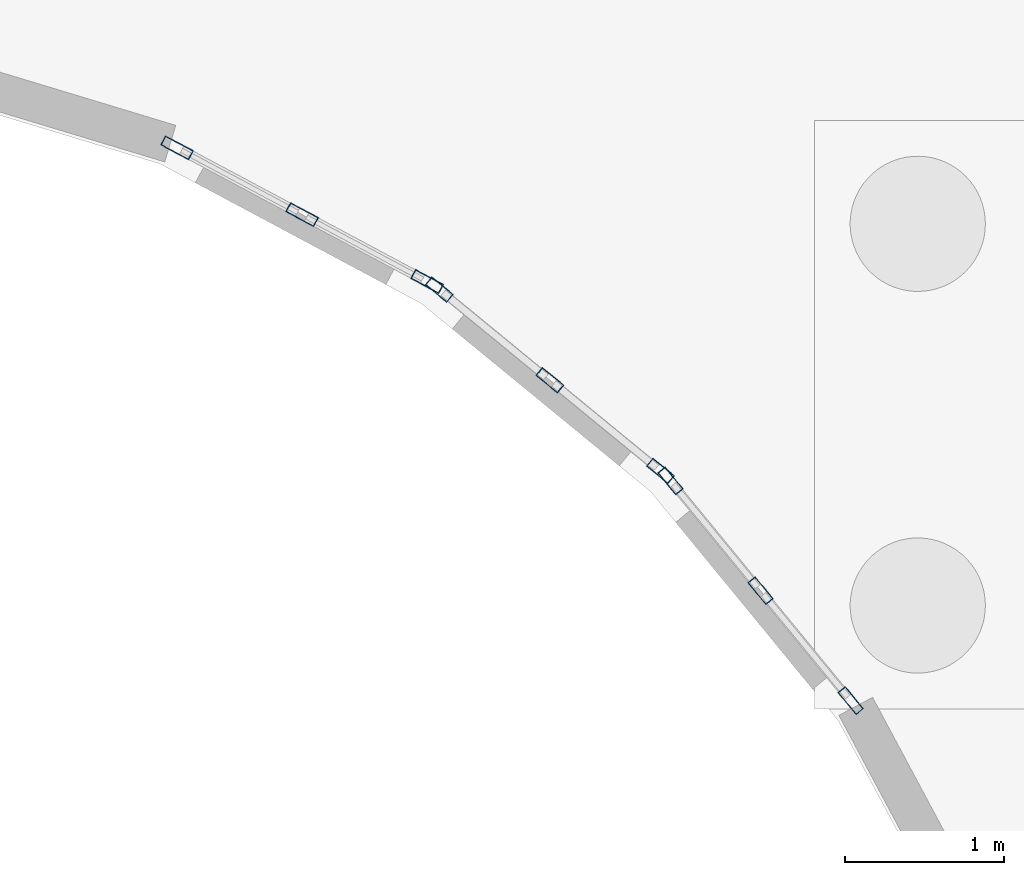
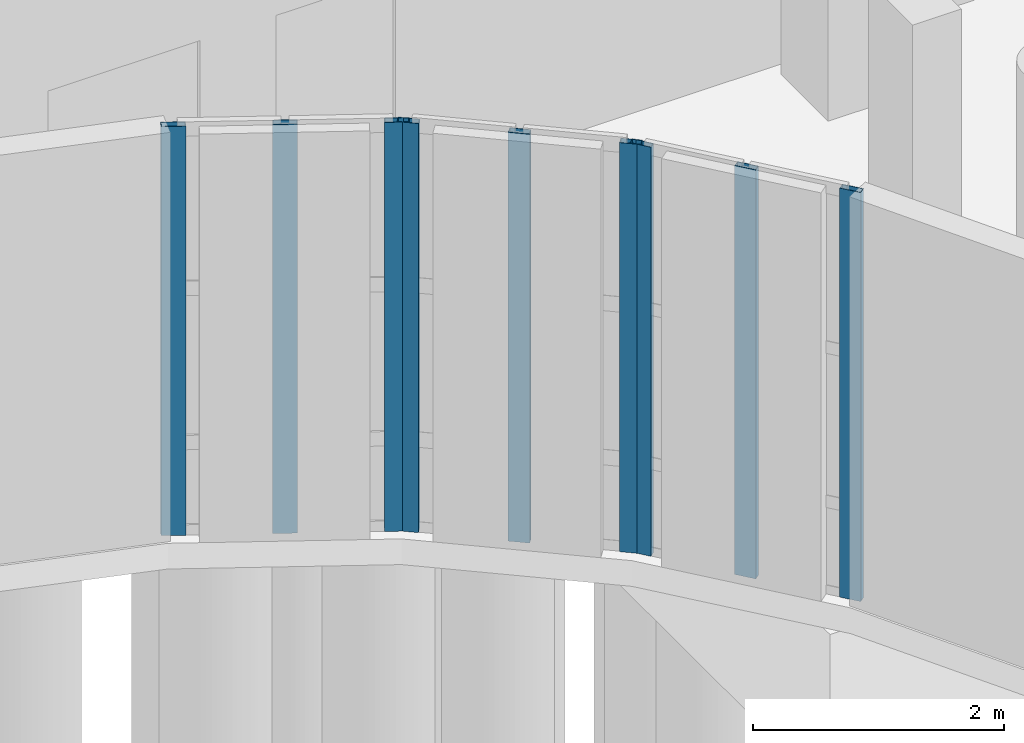
# One storey, part 38 of 93: 9 members, 3 elements without a shape of their own.
"""IFC4 building model written with IfcOpenShell, lengths in metres."""

import ifcopenshell
import ifcopenshell.guid

model = None  # the IFC model being written
_history = None  # IfcOwnerHistory: only IFC2X3 demands one
_inside = {}  # id of a spatial element -> (the spatial element, [elements in it])
_under = {}  # id of a project, library or spatial element -> (it, [spatial elements below it])
_declared = {}  # id of a project -> (the project, [libraries it declares])
_typed = {}  # id of a type object -> (the type object, [elements of that type])
_made_of = {}  # id of a material, layer set ... -> (it, [elements and type objects made of it])


def new_model(schema):
    """Start an empty IFC model of exactly this schema.

    Asked for "IFC4X3", IfcOpenShell would pick the latest addendum, in which some entities
    have other attributes; the version numbers below select the first issue.
    IFC2X3 requires an IfcOwnerHistory on every rooted entity: one is made here for all.
    """
    global model, _history
    if schema == "IFC4X3":
        model = ifcopenshell.file(schema_version=(4, 3, 0, 0))
    else:
        model = ifcopenshell.file(schema=schema)
    _inside.clear()
    _under.clear()
    _declared.clear()
    _typed.clear()
    _made_of.clear()
    _history = None
    if model.schema == "IFC2X3":
        org = make("IfcOrganization", Name="unknown")
        user = make(
            "IfcPersonAndOrganization",
            ThePerson=make("IfcPerson", FamilyName="unknown"),
            TheOrganization=org,
        )
        app = make(
            "IfcApplication",
            ApplicationDeveloper=org,
            Version="unknown",
            ApplicationFullName="unknown",
            ApplicationIdentifier="unknown",
        )
        _history = make(
            "IfcOwnerHistory",
            OwningUser=user,
            OwningApplication=app,
            ChangeAction="ADDED",
            CreationDate=0,
        )
    return model


def make(cls, **values):
    """One entity of the class cls with the attributes given. An attribute that is None is left unset."""
    return model.create_entity(
        cls, **{name: value for name, value in values.items() if value is not None}
    )


def rooted(cls, **values):
    """An entity with a GlobalId (a new one), such as an element, a storey or a relation."""
    return make(cls, GlobalId=ifcopenshell.guid.new(), OwnerHistory=_history, **values)


def si_unit(unit_type, name, prefix=None):
    """IfcSIUnit, for example si_unit("LENGTHUNIT", "METRE", prefix="MILLI")."""
    return make("IfcSIUnit", UnitType=unit_type, Prefix=prefix, Name=name)


def assignment(units):
    """IfcUnitAssignment: the units of a project."""
    return None if units is None else make("IfcUnitAssignment", Units=units)


def point(xyz):
    """IfcCartesianPoint."""
    return None if xyz is None else make("IfcCartesianPoint", Coordinates=xyz)


def direction(xyz):
    """IfcDirection."""
    return None if xyz is None else make("IfcDirection", DirectionRatios=xyz)


def frame(location, z_axis=None, x_axis=None):
    """IfcAxis2Placement3D, a coordinate frame: its origin and axes. An axis left out is left unset."""
    return make(
        "IfcAxis2Placement3D",
        Location=point(location),
        Axis=direction(z_axis),
        RefDirection=direction(x_axis),
    )


def frame_2d(location, x_axis=None):
    """IfcAxis2Placement2D, a coordinate frame in the plane: its origin and x axis."""
    return make(
        "IfcAxis2Placement2D", Location=point(location), RefDirection=direction(x_axis)
    )


def origin():
    """The frame at (0, 0, 0) with its axes left unset."""
    return frame((0.0, 0.0, 0.0))


def origin_2d():
    """The frame at (0, 0) in the plane with its x axis left unset."""
    return frame_2d((0.0, 0.0))


def place(relative_to, where):
    """IfcLocalPlacement: puts the frame where relative to a parent placement (None: the world)."""
    return make(
        "IfcLocalPlacement", PlacementRelTo=relative_to, RelativePlacement=where
    )


def context(
    kind, dimensions, precision=None, world=None, true_north=None, identifier=None
):
    """IfcGeometricRepresentationContext, for example the 3D "Model" context."""
    return make(
        "IfcGeometricRepresentationContext",
        ContextIdentifier=identifier,
        ContextType=kind,
        CoordinateSpaceDimension=dimensions,
        Precision=precision,
        WorldCoordinateSystem=world,
        TrueNorth=true_north,
    )


def subcontext(parent, identifier, kind, view, scale=None):
    """IfcGeometricRepresentationSubContext, for example "Body" below "Model"."""
    return make(
        "IfcGeometricRepresentationSubContext",
        ContextIdentifier=identifier,
        ContextType=kind,
        ParentContext=parent,
        TargetScale=scale,
        TargetView=view,
    )


def project(units=None, contexts=None):
    """IfcProject with its units and contexts."""
    return rooted(
        "IfcProject",
        Name="project",
        RepresentationContexts=contexts,
        UnitsInContext=assignment(units),
    )


def spatial(cls, under=None, at=None, **own):
    """A site, building, storey or space (cls), placed at a placement, below another one or the project."""
    s = rooted(cls, ObjectPlacement=at, **own)
    if under is not None:
        _under.setdefault(under.id(), (under, []))[1].append(s)
    return s


def profile(cls, at=None, kind="AREA", **sizes):
    """A parametric profile (cls). Its sizes go by their IFC names, for example OverallWidth=200.0."""
    return make(cls, ProfileType=kind, Position=at, **sizes)


def hollow_rectangle(**sizes):
    """IfcRectangleHollowProfileDef."""
    return profile("IfcRectangleHollowProfileDef", **sizes)


def extrude(swept, where, along, depth):
    """IfcExtrudedAreaSolid: the profile swept, set in the frame where, extruded along a direction by depth."""
    return make(
        "IfcExtrudedAreaSolid",
        SweptArea=swept,
        Position=where,
        ExtrudedDirection=direction(along),
        Depth=depth,
    )


def shape(context_of_items, identifier, shape_type, items):
    """IfcShapeRepresentation: the items that make up one representation, for example the "Body"."""
    return make(
        "IfcShapeRepresentation",
        ContextOfItems=context_of_items,
        RepresentationIdentifier=identifier,
        RepresentationType=shape_type,
        Items=items,
    )


def material(Name=None, Category=None):
    """IfcMaterial."""
    return make("IfcMaterial", Name=Name, Category=Category)


def layer(
    of_material, thickness, ventilated=None, Name=None, Category=None, Priority=None
):
    """IfcMaterialLayer: one layer of a wall or slab, of a material (None: an air gap)."""
    return make(
        "IfcMaterialLayer",
        Material=of_material,
        LayerThickness=thickness,
        IsVentilated=ventilated,
        Name=Name,
        Category=Category,
        Priority=Priority,
    )


def layer_set(layers, Name=None):
    """IfcMaterialLayerSet."""
    return make("IfcMaterialLayerSet", MaterialLayers=layers, LayerSetName=Name)


def material_profile(
    of_material, cross_section, Name=None, Category=None, Priority=None
):
    """IfcMaterialProfile: a cross section and its material."""
    return make(
        "IfcMaterialProfile",
        Name=Name,
        Material=of_material,
        Profile=cross_section,
        Priority=Priority,
        Category=Category,
    )


def profile_set(profiles, Name=None, composite=None):
    """IfcMaterialProfileSet."""
    return make(
        "IfcMaterialProfileSet",
        Name=Name,
        MaterialProfiles=profiles,
        CompositeProfile=composite,
    )


def made_of(thing, what):
    """Note that an element or type object is made of a material, layer set ...; save() writes the relation."""
    if what is not None:
        _made_of.setdefault(what.id(), (what, []))[1].append(thing)
    return thing


def type_object(cls, material=None, **own):
    """A type object (cls), such as IfcWallType, which elements share."""
    return made_of(rooted(cls, **own), material)


def element(
    cls,
    number,
    at=None,
    inside=None,
    cuts=None,
    type_object=None,
    material=None,
    context=None,
    identifier="Body",
    shape_type=None,
    held_by="IfcProductDefinitionShape",
    body=None,
    shapes=None,
    **own,
):
    """One element of the class cls, such as IfcWall. Its Tag is "e" and its number.

    at: its placement. inside: the storey or other place that contains it. cuts: it is an
    opening in that element (IfcRelVoidsElement). A single representation is given by context,
    identifier, shape_type and body (its items); several are given by shapes. held_by: the class
    of the entity that holds the representations. save() writes the other relations.
    """
    e = rooted(cls, Tag="e%d" % number, ObjectPlacement=at, **own)
    if body is not None:
        shapes = [shape(context, identifier, shape_type, body)]
    if shapes is not None:
        e.Representation = make(held_by, Representations=shapes)
    if inside is not None:
        _inside.setdefault(inside.id(), (inside, []))[1].append(e)
    if cuts is not None:
        rooted(
            "IfcRelVoidsElement", RelatingBuildingElement=cuts, RelatedOpeningElement=e
        )
    if type_object is not None:
        _typed.setdefault(type_object.id(), (type_object, []))[1].append(e)
    return made_of(e, material)


def aggregate(whole, parts):
    """IfcRelAggregates: a whole, such as a stair, and the parts it consists of."""
    return rooted("IfcRelAggregates", RelatingObject=whole, RelatedObjects=parts)


def save(model, path):
    """Write the relations noted so far, then the file.

    IfcRelAggregates (storeys below a building ...), IfcRelContainedInSpatialStructure (elements
    in a storey), IfcRelDefinesByType, IfcRelAssociatesMaterial and IfcRelDeclares: one each for
    every whole, place, type object, material and project.
    """
    for whole, parts in _under.values():
        aggregate(whole, parts)
    for where, things in _inside.values():
        rooted(
            "IfcRelContainedInSpatialStructure",
            RelatedElements=things,
            RelatingStructure=where,
        )
    for kind, things in _typed.values():
        rooted("IfcRelDefinesByType", RelatedObjects=things, RelatingType=kind)
    for what, things in _made_of.values():
        rooted("IfcRelAssociatesMaterial", RelatedObjects=things, RelatingMaterial=what)
    for by, libraries in _declared.values():
        rooted("IfcRelDeclares", RelatingContext=by, RelatedDefinitions=libraries)
    model.write(path)


model = new_model("IFC4")

# Units and contexts
model_context = context("Model", 3, precision=1e-05, world=origin(), true_north=direction((0.0, 1.0)))
body_context = subcontext(model_context, "Body", "Model", "MODEL_VIEW")
ifc_project = project(units=[si_unit("LENGTHUNIT", "METRE"), si_unit("AREAUNIT", "SQUARE_METRE"), si_unit("VOLUMEUNIT", "CUBIC_METRE"), si_unit("PLANEANGLEUNIT", "RADIAN"), si_unit("MASSUNIT", "GRAM", prefix="KILO")], contexts=[model_context])

# Site, building, storey
site_placement = place(None, origin())
site = spatial("IfcSite", under=ifc_project, at=site_placement, CompositionType="ELEMENT")
building_placement = place(site_placement, origin())
building = spatial("IfcBuilding", under=site, at=building_placement, Name="Kelanivale Promenade Academy", CompositionType="ELEMENT")
storey_placement = place(building_placement, origin())
storey = spatial("IfcBuildingStorey", under=building, at=storey_placement, Name="L00", CompositionType="ELEMENT", Elevation=0.0)

# Curtain wall, members
ifc_material_1 = material(Name="Bronze anodised aluminium and solar-control low-E glass", Category="aluminium")
ifc_layer_1 = layer(ifc_material_1, 0.179931640625)
ifc_layer_set_1 = layer_set([ifc_layer_1], Name="Bronze anodised aluminium and solar-control low-E glass")
curtain_wall_type_1 = type_object("IfcCurtainWallType", Name="CW-02 Curtain Wall 1500mm Module", PredefinedType="USERDEFINED", material=ifc_layer_set_1)
curtain_wall_1_placement = place(storey_placement, origin())
curtain_wall_1 = element("IfcCurtainWall", 1, at=curtain_wall_1_placement, inside=storey, type_object=curtain_wall_type_1, Name="L00 courtyard curtain wall CW-02", ObjectType="UNITISED GLAZING", PredefinedType="USERDEFINED")
ifc_material_2 = material(Name="Bronze anodised aluminium EN AW-6063 T6", Category="aluminium")
ifc_material_profile_1 = material_profile(ifc_material_2, hollow_rectangle(XDim=0.06005859375, YDim=0.179931640625, WallThickness=0.00390625, at=origin_2d()), Name="ALU 60x180x4.0")
ifc_profile_set_1 = profile_set([ifc_material_profile_1], Name="Bronze anodised aluminium EN AW-6063 T6")
member_type_1 = type_object("IfcMemberType", Name="CWM-02 ALU 60x180x4.0", PredefinedType="MULLION", material=ifc_profile_set_1)
member_1_placement = place(storey_placement, frame((106.778076171875, 62.2021484375, 0.0), z_axis=(0.0, 0.0, 1.0), x_axis=(-0.773257170269, -0.634092539482, 0.0)))
member_1 = element("IfcMember", 2, at=member_1_placement, type_object=member_type_1, Name="CW-02 mullion 1", PredefinedType="MULLION", context=body_context, shape_type="SweptSolid", body=[
    extrude(hollow_rectangle(XDim=0.06005859375, YDim=0.179931640625, WallThickness=0.00390625, at=origin_2d()), origin(), (0.0, 0.0, 1.0), 3.97998046875),
])
member_2_placement = place(storey_placement, frame((106.21142578125, 62.89306640625, 0.0), z_axis=(0.0, 0.0, 1.0), x_axis=(-0.773257170269, -0.634092539482, 0.0)))
member_2 = element("IfcMember", 3, at=member_2_placement, type_object=member_type_1, Name="CW-02 mullion 2", PredefinedType="MULLION", context=body_context, shape_type="SweptSolid", body=[
    extrude(hollow_rectangle(XDim=0.06005859375, YDim=0.179931640625, WallThickness=0.00390625, at=origin_2d()), origin(), (0.0, 0.0, 1.0), 3.97998046875),
])
member_3_placement = place(storey_placement, frame((105.64501953125, 63.583740234375, 0.0), z_axis=(0.0, 0.0, 1.0), x_axis=(-0.773257170269, -0.634092539482, 0.0)))
member_3 = element("IfcMember", 4, at=member_3_placement, type_object=member_type_1, Name="CW-02 mullion 3", PredefinedType="MULLION", context=body_context, shape_type="SweptSolid", body=[
    extrude(hollow_rectangle(XDim=0.06005859375, YDim=0.179931640625, WallThickness=0.00390625, at=origin_2d()), origin(), (0.0, 0.0, 1.0), 3.97998046875),
])
aggregate(curtain_wall_1, [member_1, member_2, member_3])

ifc_layer_2 = layer(ifc_material_1, 0.159912109375)
ifc_layer_set_2 = layer_set([ifc_layer_2], Name="Bronze anodised aluminium and solar-control low-E glass")
curtain_wall_type_2 = type_object("IfcCurtainWallType", Name="CW-03 Curtain Wall 1650mm Module", PredefinedType="USERDEFINED", material=ifc_layer_set_2)
curtain_wall_2_placement = place(storey_placement, origin())
curtain_wall_2 = element("IfcCurtainWall", 5, at=curtain_wall_2_placement, inside=storey, type_object=curtain_wall_type_2, Name="L00 courtyard curtain wall CW-03", ObjectType="UNITISED GLAZING", PredefinedType="USERDEFINED")
ifc_material_profile_2 = material_profile(ifc_material_2, hollow_rectangle(XDim=0.06494140625, YDim=0.175048828125, WallThickness=0.00390625, at=origin_2d()), Name="ALU 65x175x4.0")
ifc_profile_set_2 = profile_set([ifc_material_profile_2], Name="Bronze anodised aluminium EN AW-6063 T6")
member_type_2 = type_object("IfcMemberType", Name="CWM-03 ALU 65x175x4.0", PredefinedType="MULLION", material=ifc_profile_set_2)
member_4_placement = place(storey_placement, frame((105.581787109375, 63.646728515625, 0.0), z_axis=(0.0, 0.0, 1.0), x_axis=(-0.634143799719, -0.773215132597, 0.0)))
member_4 = element("IfcMember", 6, at=member_4_placement, type_object=member_type_2, Name="CW-03 mullion 1", PredefinedType="MULLION", context=body_context, shape_type="SweptSolid", body=[
    extrude(hollow_rectangle(XDim=0.06494140625, YDim=0.175048828125, WallThickness=0.00390625, at=origin_2d()), origin(), (0.0, 0.0, 1.0), 3.97998046875),
])
member_5_placement = place(storey_placement, frame((104.886962890625, 64.216552734375, 0.0), z_axis=(0.0, 0.0, 1.0), x_axis=(-0.634143799719, -0.773215132597, 0.0)))
member_5 = element("IfcMember", 7, at=member_5_placement, type_object=member_type_2, Name="CW-03 mullion 2", PredefinedType="MULLION", context=body_context, shape_type="SweptSolid", body=[
    extrude(hollow_rectangle(XDim=0.06494140625, YDim=0.175048828125, WallThickness=0.00390625, at=origin_2d()), origin(), (0.0, 0.0, 1.0), 3.97998046875),
])
member_6_placement = place(storey_placement, frame((104.192138671875, 64.786376953125, 0.0), z_axis=(0.0, 0.0, 1.0), x_axis=(-0.634143799719, -0.773215132597, 0.0)))
member_6 = element("IfcMember", 8, at=member_6_placement, type_object=member_type_2, Name="CW-03 mullion 3", PredefinedType="MULLION", context=body_context, shape_type="SweptSolid", body=[
    extrude(hollow_rectangle(XDim=0.06494140625, YDim=0.175048828125, WallThickness=0.00390625, at=origin_2d()), origin(), (0.0, 0.0, 1.0), 3.97998046875),
])
aggregate(curtain_wall_2, [member_4, member_5, member_6])

ifc_layer_3 = layer(ifc_material_1, 0.169921875)
ifc_layer_set_3 = layer_set([ifc_layer_3], Name="Bronze anodised aluminium and solar-control low-E glass")
curtain_wall_type_3 = type_object("IfcCurtainWallType", Name="CW-04 Curtain Wall 1800mm Module", PredefinedType="USERDEFINED", material=ifc_layer_set_3)
curtain_wall_3_placement = place(storey_placement, origin())
curtain_wall_3 = element("IfcCurtainWall", 9, at=curtain_wall_3_placement, inside=storey, type_object=curtain_wall_type_3, Name="L00 courtyard curtain wall CW-04", ObjectType="UNITISED GLAZING", PredefinedType="USERDEFINED")
ifc_material_profile_3 = material_profile(ifc_material_2, hollow_rectangle(XDim=0.06494140625, YDim=0.199951171875, WallThickness=0.00439453125, at=origin_2d()), Name="ALU 65x200x4.5")
ifc_profile_set_3 = profile_set([ifc_material_profile_3], Name="Bronze anodised aluminium EN AW-6063 T6")
member_type_3 = type_object("IfcMemberType", Name="CWM-04 ALU 65x200x4.5", PredefinedType="MULLION", material=ifc_profile_set_3)
member_7_placement = place(storey_placement, frame((104.115234375, 64.83740234375, 0.0), z_axis=(0.0, 0.0, 1.0), x_axis=(-0.471290193914, -0.881978204448, 0.0)))
member_7 = element("IfcMember", 10, at=member_7_placement, type_object=member_type_3, Name="CW-04 mullion 1", PredefinedType="MULLION", context=body_context, shape_type="SweptSolid", body=[
    extrude(hollow_rectangle(XDim=0.06494140625, YDim=0.199951171875, WallThickness=0.00439453125, at=origin_2d()), origin(), (0.0, 0.0, 1.0), 3.97998046875),
])
member_8_placement = place(storey_placement, frame((103.3291015625, 65.257568359375, 0.0), z_axis=(0.0, 0.0, 1.0), x_axis=(-0.471290193914, -0.881978204448, 0.0)))
member_8 = element("IfcMember", 11, at=member_8_placement, type_object=member_type_3, Name="CW-04 mullion 2", PredefinedType="MULLION", context=body_context, shape_type="SweptSolid", body=[
    extrude(hollow_rectangle(XDim=0.06494140625, YDim=0.199951171875, WallThickness=0.00439453125, at=origin_2d()), origin(), (0.0, 0.0, 1.0), 3.97998046875),
])
member_9_placement = place(storey_placement, frame((102.542724609375, 65.677734375, 0.0), z_axis=(0.0, 0.0, 1.0), x_axis=(-0.471290193914, -0.881978204448, 0.0)))
member_9 = element("IfcMember", 12, at=member_9_placement, type_object=member_type_3, Name="CW-04 mullion 3", PredefinedType="MULLION", context=body_context, shape_type="SweptSolid", body=[
    extrude(hollow_rectangle(XDim=0.06494140625, YDim=0.199951171875, WallThickness=0.00439453125, at=origin_2d()), origin(), (0.0, 0.0, 1.0), 3.97998046875),
])
aggregate(curtain_wall_3, [member_7, member_8, member_9])

save(model, "model.ifc")
